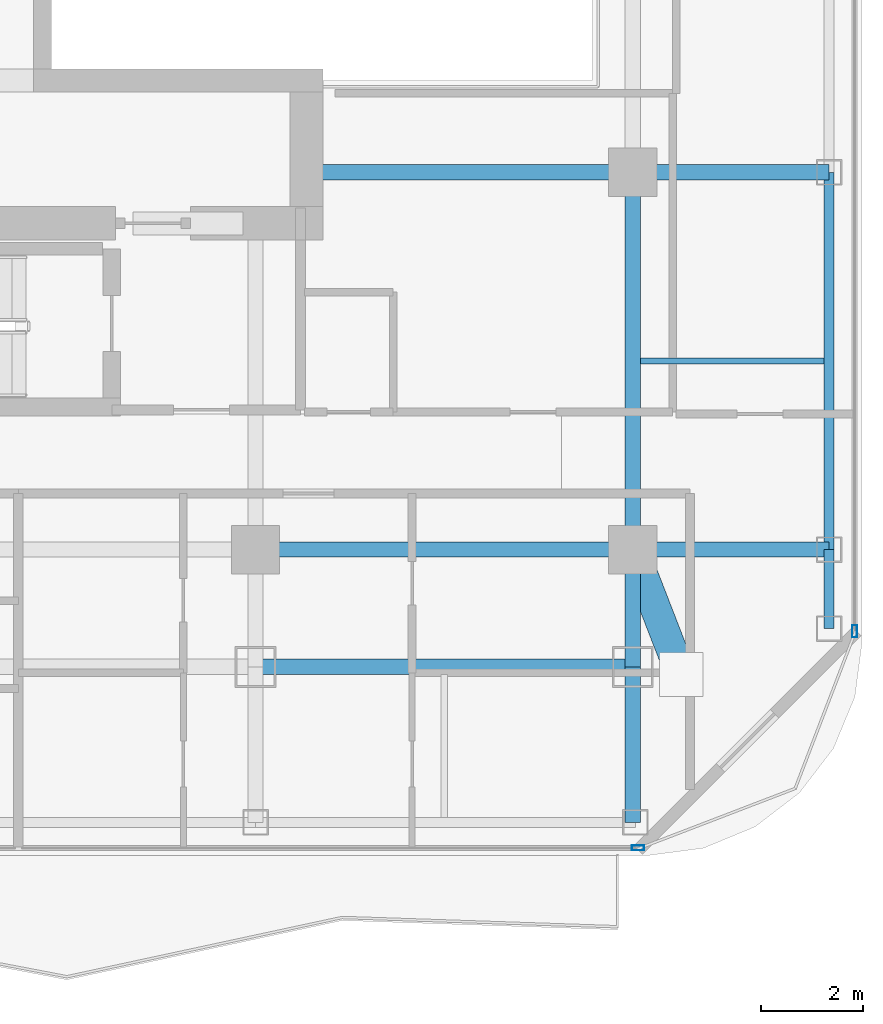
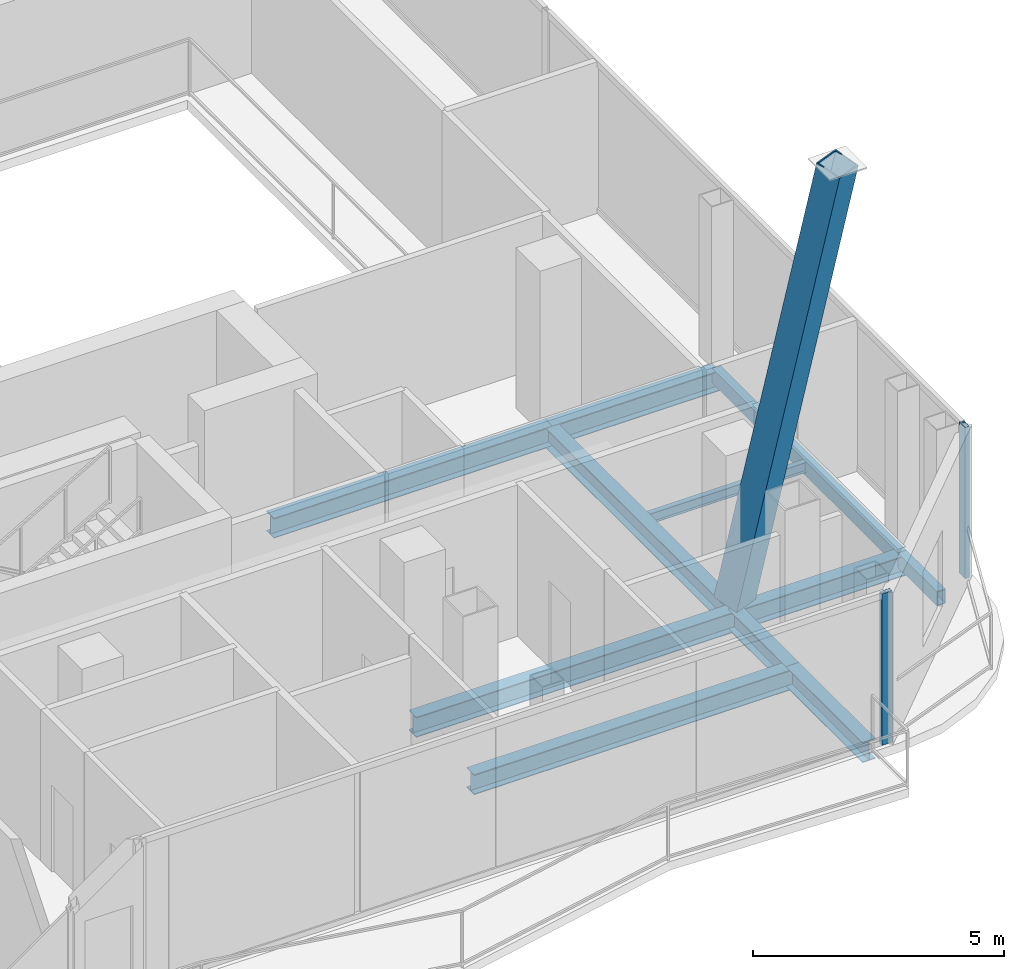
# One storey, part 8 of 24: 11 beams, 3 members, 2 elements without a shape of their own.
"""IFC4 building model written with IfcOpenShell, lengths in metres."""

import ifcopenshell
import ifcopenshell.guid

model = None  # the IFC model being written
_history = None  # IfcOwnerHistory: only IFC2X3 demands one
_inside = {}  # id of a spatial element -> (the spatial element, [elements in it])
_under = {}  # id of a project, library or spatial element -> (it, [spatial elements below it])
_declared = {}  # id of a project -> (the project, [libraries it declares])
_typed = {}  # id of a type object -> (the type object, [elements of that type])
_made_of = {}  # id of a material, layer set ... -> (it, [elements and type objects made of it])


def new_model(schema):
    """Start an empty IFC model of exactly this schema.

    Asked for "IFC4X3", IfcOpenShell would pick the latest addendum, in which some entities
    have other attributes; the version numbers below select the first issue.
    IFC2X3 requires an IfcOwnerHistory on every rooted entity: one is made here for all.
    """
    global model, _history
    if schema == "IFC4X3":
        model = ifcopenshell.file(schema_version=(4, 3, 0, 0))
    else:
        model = ifcopenshell.file(schema=schema)
    _inside.clear()
    _under.clear()
    _declared.clear()
    _typed.clear()
    _made_of.clear()
    _history = None
    if model.schema == "IFC2X3":
        org = make("IfcOrganization", Name="unknown")
        user = make(
            "IfcPersonAndOrganization",
            ThePerson=make("IfcPerson", FamilyName="unknown"),
            TheOrganization=org,
        )
        app = make(
            "IfcApplication",
            ApplicationDeveloper=org,
            Version="unknown",
            ApplicationFullName="unknown",
            ApplicationIdentifier="unknown",
        )
        _history = make(
            "IfcOwnerHistory",
            OwningUser=user,
            OwningApplication=app,
            ChangeAction="ADDED",
            CreationDate=0,
        )
    return model


def make(cls, **values):
    """One entity of the class cls with the attributes given. An attribute that is None is left unset."""
    return model.create_entity(
        cls, **{name: value for name, value in values.items() if value is not None}
    )


def rooted(cls, **values):
    """An entity with a GlobalId (a new one), such as an element, a storey or a relation."""
    return make(cls, GlobalId=ifcopenshell.guid.new(), OwnerHistory=_history, **values)


def si_unit(unit_type, name, prefix=None):
    """IfcSIUnit, for example si_unit("LENGTHUNIT", "METRE", prefix="MILLI")."""
    return make("IfcSIUnit", UnitType=unit_type, Prefix=prefix, Name=name)


def assignment(units):
    """IfcUnitAssignment: the units of a project."""
    return None if units is None else make("IfcUnitAssignment", Units=units)


def point(xyz):
    """IfcCartesianPoint."""
    return None if xyz is None else make("IfcCartesianPoint", Coordinates=xyz)


def direction(xyz):
    """IfcDirection."""
    return None if xyz is None else make("IfcDirection", DirectionRatios=xyz)


def frame(location, z_axis=None, x_axis=None):
    """IfcAxis2Placement3D, a coordinate frame: its origin and axes. An axis left out is left unset."""
    return make(
        "IfcAxis2Placement3D",
        Location=point(location),
        Axis=direction(z_axis),
        RefDirection=direction(x_axis),
    )


def frame_2d(location, x_axis=None):
    """IfcAxis2Placement2D, a coordinate frame in the plane: its origin and x axis."""
    return make(
        "IfcAxis2Placement2D", Location=point(location), RefDirection=direction(x_axis)
    )


def origin():
    """The frame at (0, 0, 0) with its axes left unset."""
    return frame((0.0, 0.0, 0.0))


def origin_2d():
    """The frame at (0, 0) in the plane with its x axis left unset."""
    return frame_2d((0.0, 0.0))


def place(relative_to, where):
    """IfcLocalPlacement: puts the frame where relative to a parent placement (None: the world)."""
    return make(
        "IfcLocalPlacement", PlacementRelTo=relative_to, RelativePlacement=where
    )


def context(
    kind, dimensions, precision=None, world=None, true_north=None, identifier=None
):
    """IfcGeometricRepresentationContext, for example the 3D "Model" context."""
    return make(
        "IfcGeometricRepresentationContext",
        ContextIdentifier=identifier,
        ContextType=kind,
        CoordinateSpaceDimension=dimensions,
        Precision=precision,
        WorldCoordinateSystem=world,
        TrueNorth=true_north,
    )


def subcontext(parent, identifier, kind, view, scale=None):
    """IfcGeometricRepresentationSubContext, for example "Body" below "Model"."""
    return make(
        "IfcGeometricRepresentationSubContext",
        ContextIdentifier=identifier,
        ContextType=kind,
        ParentContext=parent,
        TargetScale=scale,
        TargetView=view,
    )


def project(units=None, contexts=None):
    """IfcProject with its units and contexts."""
    return rooted(
        "IfcProject",
        Name="project",
        RepresentationContexts=contexts,
        UnitsInContext=assignment(units),
    )


def spatial(cls, under=None, at=None, **own):
    """A site, building, storey or space (cls), placed at a placement, below another one or the project."""
    s = rooted(cls, ObjectPlacement=at, **own)
    if under is not None:
        _under.setdefault(under.id(), (under, []))[1].append(s)
    return s


def profile(cls, at=None, kind="AREA", **sizes):
    """A parametric profile (cls). Its sizes go by their IFC names, for example OverallWidth=200.0."""
    return make(cls, ProfileType=kind, Position=at, **sizes)


def hollow_rectangle(**sizes):
    """IfcRectangleHollowProfileDef."""
    return profile("IfcRectangleHollowProfileDef", **sizes)


def i_section(**sizes):
    """IfcIShapeProfileDef."""
    return profile("IfcIShapeProfileDef", **sizes)


def extrude(swept, where, along, depth):
    """IfcExtrudedAreaSolid: the profile swept, set in the frame where, extruded along a direction by depth."""
    return make(
        "IfcExtrudedAreaSolid",
        SweptArea=swept,
        Position=where,
        ExtrudedDirection=direction(along),
        Depth=depth,
    )


def shape(context_of_items, identifier, shape_type, items):
    """IfcShapeRepresentation: the items that make up one representation, for example the "Body"."""
    return make(
        "IfcShapeRepresentation",
        ContextOfItems=context_of_items,
        RepresentationIdentifier=identifier,
        RepresentationType=shape_type,
        Items=items,
    )


def material(Name=None, Category=None):
    """IfcMaterial."""
    return make("IfcMaterial", Name=Name, Category=Category)


def layer(
    of_material, thickness, ventilated=None, Name=None, Category=None, Priority=None
):
    """IfcMaterialLayer: one layer of a wall or slab, of a material (None: an air gap)."""
    return make(
        "IfcMaterialLayer",
        Material=of_material,
        LayerThickness=thickness,
        IsVentilated=ventilated,
        Name=Name,
        Category=Category,
        Priority=Priority,
    )


def layer_set(layers, Name=None):
    """IfcMaterialLayerSet."""
    return make("IfcMaterialLayerSet", MaterialLayers=layers, LayerSetName=Name)


def material_profile(
    of_material, cross_section, Name=None, Category=None, Priority=None
):
    """IfcMaterialProfile: a cross section and its material."""
    return make(
        "IfcMaterialProfile",
        Name=Name,
        Material=of_material,
        Profile=cross_section,
        Priority=Priority,
        Category=Category,
    )


def profile_set(profiles, Name=None, composite=None):
    """IfcMaterialProfileSet."""
    return make(
        "IfcMaterialProfileSet",
        Name=Name,
        MaterialProfiles=profiles,
        CompositeProfile=composite,
    )


def made_of(thing, what):
    """Note that an element or type object is made of a material, layer set ...; save() writes the relation."""
    if what is not None:
        _made_of.setdefault(what.id(), (what, []))[1].append(thing)
    return thing


def type_object(cls, material=None, **own):
    """A type object (cls), such as IfcWallType, which elements share."""
    return made_of(rooted(cls, **own), material)


def element(
    cls,
    number,
    at=None,
    inside=None,
    cuts=None,
    type_object=None,
    material=None,
    context=None,
    identifier="Body",
    shape_type=None,
    held_by="IfcProductDefinitionShape",
    body=None,
    shapes=None,
    **own,
):
    """One element of the class cls, such as IfcWall. Its Tag is "e" and its number.

    at: its placement. inside: the storey or other place that contains it. cuts: it is an
    opening in that element (IfcRelVoidsElement). A single representation is given by context,
    identifier, shape_type and body (its items); several are given by shapes. held_by: the class
    of the entity that holds the representations. save() writes the other relations.
    """
    e = rooted(cls, Tag="e%d" % number, ObjectPlacement=at, **own)
    if body is not None:
        shapes = [shape(context, identifier, shape_type, body)]
    if shapes is not None:
        e.Representation = make(held_by, Representations=shapes)
    if inside is not None:
        _inside.setdefault(inside.id(), (inside, []))[1].append(e)
    if cuts is not None:
        rooted(
            "IfcRelVoidsElement", RelatingBuildingElement=cuts, RelatedOpeningElement=e
        )
    if type_object is not None:
        _typed.setdefault(type_object.id(), (type_object, []))[1].append(e)
    return made_of(e, material)


def aggregate(whole, parts):
    """IfcRelAggregates: a whole, such as a stair, and the parts it consists of."""
    return rooted("IfcRelAggregates", RelatingObject=whole, RelatedObjects=parts)


def save(model, path):
    """Write the relations noted so far, then the file.

    IfcRelAggregates (storeys below a building ...), IfcRelContainedInSpatialStructure (elements
    in a storey), IfcRelDefinesByType, IfcRelAssociatesMaterial and IfcRelDeclares: one each for
    every whole, place, type object, material and project.
    """
    for whole, parts in _under.values():
        aggregate(whole, parts)
    for where, things in _inside.values():
        rooted(
            "IfcRelContainedInSpatialStructure",
            RelatedElements=things,
            RelatingStructure=where,
        )
    for kind, things in _typed.values():
        rooted("IfcRelDefinesByType", RelatedObjects=things, RelatingType=kind)
    for what, things in _made_of.values():
        rooted("IfcRelAssociatesMaterial", RelatedObjects=things, RelatingMaterial=what)
    for by, libraries in _declared.values():
        rooted("IfcRelDeclares", RelatingContext=by, RelatedDefinitions=libraries)
    model.write(path)


model = new_model("IFC4")

# Units and contexts
model_context = context("Model", 3, precision=1e-05, world=origin(), true_north=direction((0.0, 1.0)))
body_context = subcontext(model_context, "Body", "Model", "MODEL_VIEW")
ifc_project = project(units=[si_unit("LENGTHUNIT", "METRE"), si_unit("AREAUNIT", "SQUARE_METRE"), si_unit("VOLUMEUNIT", "CUBIC_METRE"), si_unit("PLANEANGLEUNIT", "RADIAN"), si_unit("MASSUNIT", "GRAM", prefix="KILO")], contexts=[model_context])

# Site, building, storey
site_placement = place(None, origin())
site = spatial("IfcSite", under=ifc_project, at=site_placement, CompositionType="ELEMENT")
building_placement = place(site_placement, origin())
building = spatial("IfcBuilding", under=site, at=building_placement, Name="Khorvyn Point Tower", CompositionType="ELEMENT")
storey_placement = place(building_placement, frame((0.0, 0.0, 301.5)))
storey = spatial("IfcBuildingStorey", under=building, at=storey_placement, Name="L74", CompositionType="ELEMENT", Elevation=301.5)

# Curtain wall, member
ifc_material_1 = material(Name="Anodised aluminium 6063-T6 and laminated Low-E glass", Category="aluminium")
ifc_layer = layer(ifc_material_1, 0.18994140625)
ifc_layer_set = layer_set([ifc_layer], Name="Stick-Built High-Wind Curtain Wall CW-SYS-04")
curtain_wall_type = type_object("IfcCurtainWallType", Name="Stick-Built High-Wind Curtain Wall CW-SYS-04", PredefinedType="NOTDEFINED", material=ifc_layer_set)
curtain_wall_1_placement = place(storey_placement, origin())
curtain_wall_1 = element("IfcCurtainWall", 1, at=curtain_wall_1_placement, inside=storey, type_object=curtain_wall_type, Name="Curtain Wall", PredefinedType="NOTDEFINED")
ifc_material_2 = material(Name="Anodised aluminium 6063-T6", Category="aluminium")
ifc_material_profile_1 = material_profile(ifc_material_2, hollow_rectangle(XDim=0.10009765625, YDim=0.239990234375, WallThickness=0.0048828125, at=origin_2d()))
ifc_profile_set_1 = profile_set([ifc_material_profile_1], Name="Anodised aluminium 6063-T6 ALU-MUL-100x240")
member_type_1 = type_object("IfcMemberType", Name="Anodised Aluminium 6063-T6 Mullion ALU-MUL-100x240", PredefinedType="MULLION", material=ifc_profile_set_1)
member_1_placement = place(storey_placement, frame((14.89990234375, -20.64990234375, 0.0), z_axis=(0.0, 0.0, 1.0), x_axis=(0.0, -1.0, 0.0)))
member_1 = element("IfcMember", 2, at=member_1_placement, type_object=member_type_1, Name="Transom", PredefinedType="MULLION", context=body_context, shape_type="SweptSolid", body=[
    extrude(hollow_rectangle(XDim=0.10009765625, YDim=0.239990234375, WallThickness=0.0048828125, at=origin_2d()), origin(), (0.0, 0.0, 1.0), 3.679931640625),
])
aggregate(curtain_wall_1, [member_1])

curtain_wall_2_placement = place(storey_placement, origin())
curtain_wall_2 = element("IfcCurtainWall", 3, at=curtain_wall_2_placement, inside=storey, type_object=curtain_wall_type, Name="Curtain Wall", PredefinedType="NOTDEFINED")
member_2_placement = place(storey_placement, frame((19.14990234375, -16.39990234375, 0.0), z_axis=(0.0, 0.0, 1.0), x_axis=(1.0, 0.0, 0.0)))
member_2 = element("IfcMember", 4, at=member_2_placement, type_object=member_type_1, Name="Transom", PredefinedType="MULLION", context=body_context, shape_type="SweptSolid", body=[
    extrude(hollow_rectangle(XDim=0.10009765625, YDim=0.239990234375, WallThickness=0.0048828125, at=origin_2d()), origin(), (0.0, 0.0, 1.0), 3.679931640625),
])
aggregate(curtain_wall_2, [member_2])

# Beams
ifc_material_3 = material(Name="Steel S355", Category="steel")
ifc_material_profile_2 = material_profile(ifc_material_3, i_section(OverallWidth=0.125, OverallDepth=0.25, WebThickness=0.006103515625, FlangeThickness=0.009033203125, at=origin_2d()))
ifc_profile_set_2 = profile_set([ifc_material_profile_2], Name="Steel S355 H250x125x6x9")
beam_type_1 = type_object("IfcBeamType", Name="Steel S355 Joist H250x125x6x9", PredefinedType="JOIST", material=ifc_profile_set_2)
beam_1_placement = place(storey_placement, frame((14.949951171875, -11.10009765625, -0.344970703125), z_axis=(1.0, 0.0, 0.0), x_axis=(0.0, 1.0, 0.0)))
element("IfcBeam", 5, at=beam_1_placement, inside=storey, type_object=beam_type_1, Name="Beam", PredefinedType="JOIST", context=body_context, shape_type="SweptSolid", body=[
    extrude(i_section(OverallWidth=0.125, OverallDepth=0.25, WebThickness=0.006103515625, FlangeThickness=0.009033203125, at=origin_2d()), origin(), (0.0, 0.0, 1.0), 3.60009765625),
])
ifc_material_profile_3 = material_profile(ifc_material_3, i_section(OverallWidth=0.300048828125, OverallDepth=0.488037109375, WebThickness=0.010986328125, FlangeThickness=0.01806640625, at=origin_2d()))
ifc_profile_set_3 = profile_set([ifc_material_profile_3], Name="Steel S355 H488x300x11x18")
beam_type_2 = type_object("IfcBeamType", Name="Steel S355 Spandrel H488x300x11x18", PredefinedType="SPANDREL", material=ifc_profile_set_3)
beam_2_placement = place(storey_placement, frame((7.39990234375, -14.800048828125, -0.464111328125), z_axis=(1.0, 0.0, 0.0), x_axis=(0.0, 1.0, 0.0)))
element("IfcBeam", 6, at=beam_2_placement, inside=storey, type_object=beam_type_2, Name="Beam", PredefinedType="SPANDREL", context=body_context, shape_type="SweptSolid", body=[
    extrude(i_section(OverallWidth=0.300048828125, OverallDepth=0.488037109375, WebThickness=0.010986328125, FlangeThickness=0.01806640625, at=origin_2d()), origin(), (0.0, 0.0, 1.0), 7.400146484375),
])
beam_3_placement = place(storey_placement, frame((14.800048828125, -14.800048828125, -0.464111328125), z_axis=(1.0, 0.0, 0.0), x_axis=(0.0, 1.0, 0.0)))
element("IfcBeam", 7, at=beam_3_placement, inside=storey, type_object=beam_type_2, Name="Beam", PredefinedType="SPANDREL", context=body_context, shape_type="SweptSolid", body=[
    extrude(i_section(OverallWidth=0.300048828125, OverallDepth=0.488037109375, WebThickness=0.010986328125, FlangeThickness=0.01806640625, at=origin_2d()), origin(), (0.0, 0.0, 1.0), 3.849853515625),
])
beam_4_placement = place(storey_placement, frame((8.39990234375, -7.39990234375, -0.464111328125), z_axis=(1.0, 0.0, 0.0), x_axis=(0.0, 1.0, 0.0)))
element("IfcBeam", 8, at=beam_4_placement, inside=storey, type_object=beam_type_2, Name="Beam", PredefinedType="SPANDREL", context=body_context, shape_type="SweptSolid", body=[
    extrude(i_section(OverallWidth=0.300048828125, OverallDepth=0.488037109375, WebThickness=0.010986328125, FlangeThickness=0.01806640625, at=origin_2d()), origin(), (0.0, 0.0, 1.0), 6.400146484375),
])
beam_5_placement = place(storey_placement, frame((14.800048828125, -7.39990234375, -0.464111328125), z_axis=(1.0, 0.0, 0.0), x_axis=(0.0, 1.0, 0.0)))
element("IfcBeam", 9, at=beam_5_placement, inside=storey, type_object=beam_type_2, Name="Beam", PredefinedType="SPANDREL", context=body_context, shape_type="SweptSolid", body=[
    extrude(i_section(OverallWidth=0.300048828125, OverallDepth=0.488037109375, WebThickness=0.010986328125, FlangeThickness=0.01806640625, at=origin_2d()), origin(), (0.0, 0.0, 1.0), 3.849853515625),
])
beam_6_placement = place(storey_placement, frame((7.39990234375, -17.10009765625, -0.464111328125), z_axis=(1.0, 0.0, 0.0), x_axis=(0.0, 1.0, 0.0)))
element("IfcBeam", 10, at=beam_6_placement, inside=storey, type_object=beam_type_2, Name="Beam", PredefinedType="SPANDREL", context=body_context, shape_type="SweptSolid", body=[
    extrude(i_section(OverallWidth=0.300048828125, OverallDepth=0.488037109375, WebThickness=0.010986328125, FlangeThickness=0.01806640625, at=origin_2d()), origin(), (0.0, 0.0, 1.0), 7.400146484375),
])
beam_7_placement = place(storey_placement, frame((14.800048828125, -20.14990234375, -0.464111328125), z_axis=(0.0, 1.0, 0.0), x_axis=(-1.0, 0.0, 0.0)))
element("IfcBeam", 11, at=beam_7_placement, inside=storey, type_object=beam_type_2, Name="Beam", PredefinedType="SPANDREL", context=body_context, shape_type="SweptSolid", body=[
    extrude(i_section(OverallWidth=0.300048828125, OverallDepth=0.488037109375, WebThickness=0.010986328125, FlangeThickness=0.01806640625, at=origin_2d()), origin(), (0.0, 0.0, 1.0), 3.0498046875),
])
beam_8_placement = place(storey_placement, frame((14.800048828125, -17.10009765625, -0.464111328125), z_axis=(0.0, 1.0, 0.0), x_axis=(-1.0, 0.0, 0.0)))
element("IfcBeam", 12, at=beam_8_placement, inside=storey, type_object=beam_type_2, Name="Beam", PredefinedType="SPANDREL", context=body_context, shape_type="SweptSolid", body=[
    extrude(i_section(OverallWidth=0.300048828125, OverallDepth=0.488037109375, WebThickness=0.010986328125, FlangeThickness=0.01806640625, at=origin_2d()), origin(), (0.0, 0.0, 1.0), 2.300048828125),
])
beam_9_placement = place(storey_placement, frame((14.800048828125, -14.800048828125, -0.464111328125), z_axis=(0.0, 1.0, 0.0), x_axis=(-1.0, 0.0, 0.0)))
element("IfcBeam", 13, at=beam_9_placement, inside=storey, type_object=beam_type_2, Name="Beam", PredefinedType="SPANDREL", context=body_context, shape_type="SweptSolid", body=[
    extrude(i_section(OverallWidth=0.300048828125, OverallDepth=0.488037109375, WebThickness=0.010986328125, FlangeThickness=0.01806640625, at=origin_2d()), origin(), (0.0, 0.0, 1.0), 7.400146484375),
])
ifc_material_profile_4 = material_profile(ifc_material_3, hollow_rectangle(XDim=0.199951171875, YDim=0.35009765625, WallThickness=0.013916015625, at=origin_2d()))
ifc_profile_set_4 = profile_set([ifc_material_profile_4], Name="Steel S355 RHS350x200x14")
beam_type_3 = type_object("IfcBeamType", Name="Steel S355 Spandrel RHS350x200x14", PredefinedType="SPANDREL", material=ifc_profile_set_4)
beam_10_placement = place(storey_placement, frame((18.64990234375, -16.35009765625, -0.39501953125), z_axis=(0.0, 1.0, 0.0), x_axis=(-1.0, 0.0, 0.0)))
element("IfcBeam", 14, at=beam_10_placement, inside=storey, type_object=beam_type_3, Name="Beam", PredefinedType="SPANDREL", context=body_context, shape_type="SweptSolid", body=[
    extrude(hollow_rectangle(XDim=0.199951171875, YDim=0.35009765625, WallThickness=0.013916015625, at=origin_2d()), origin(), (0.0, 0.0, 1.0), 1.550048828125),
])
beam_11_placement = place(storey_placement, frame((18.64990234375, -14.800048828125, -0.39501953125), z_axis=(0.0, 1.0, 0.0), x_axis=(-1.0, 0.0, 0.0)))
element("IfcBeam", 15, at=beam_11_placement, inside=storey, type_object=beam_type_3, Name="Beam", PredefinedType="SPANDREL", context=body_context, shape_type="SweptSolid", body=[
    extrude(hollow_rectangle(XDim=0.199951171875, YDim=0.35009765625, WallThickness=0.013916015625, at=origin_2d()), origin(), (0.0, 0.0, 1.0), 7.400146484375),
])

# Member
ifc_material_4 = material(Name="Steel S450", Category="steel")
ifc_material_profile_5 = material_profile(ifc_material_4, hollow_rectangle(XDim=0.60009765625, YDim=0.60009765625, WallThickness=0.028076171875, at=origin_2d()))
ifc_profile_set_5 = profile_set([ifc_material_profile_5], Name="Steel S450 BOX600x600x28")
member_type_2 = type_object("IfcMemberType", Name="Steel S450 Exoskeleton Structural Post BOX600x600x28", PredefinedType="POST", material=ifc_profile_set_5)
member_3_placement = place(storey_placement, frame((14.800048828125, -14.800048828125, 0.0), z_axis=(0.079219412462, -0.204309124662, 0.975695683228), x_axis=(0.93236514376, 0.361517964561, 0.0)))
element("IfcMember", 16, at=member_3_placement, inside=storey, type_object=member_type_2, Name="L74 to L77 Crown Corner Support Post 2", PredefinedType="POST", context=body_context, shape_type="SweptSolid", body=[
    extrude(hollow_rectangle(XDim=0.60009765625, YDim=0.60009765625, WallThickness=0.028076171875, at=origin_2d()), origin(), (0.0, 0.0, 1.0), 11.991455078125),
])

save(model, "model.ifc")
